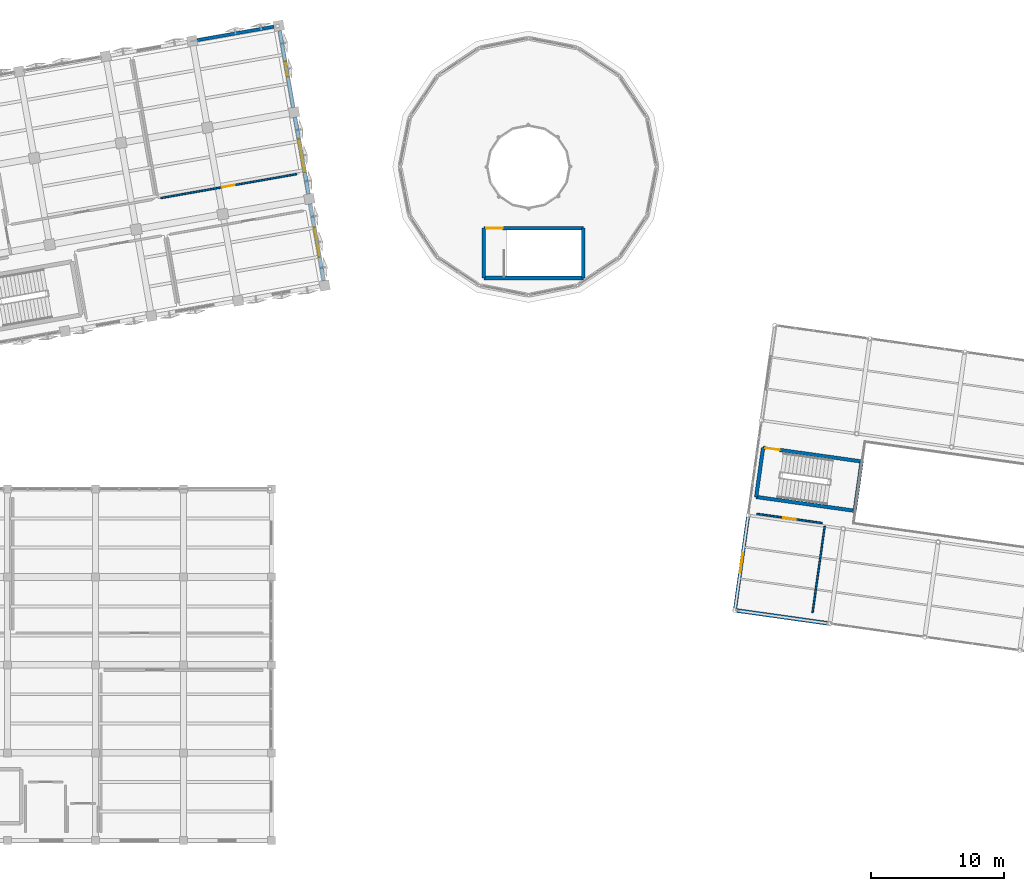
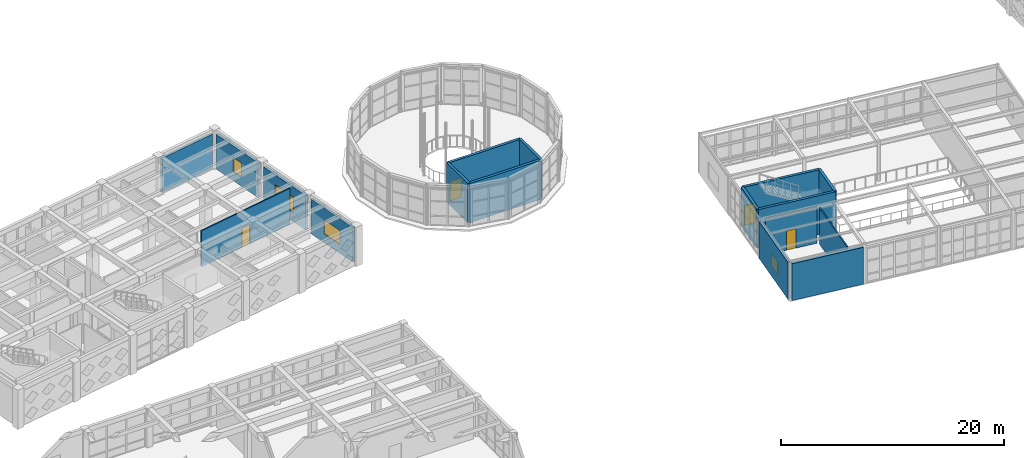
# One storey, part 68 of 80: 17 walls, 4 doors, 4 windows, 8 openings.
"""IFC4 building model written with IfcOpenShell, lengths in metres."""

from ifc_helpers import new_model, si_unit, direction, frame, frame_2d, origin, place, context, subcontext, project, spatial, rectangle, extrude, material, layer, layer_set, type_object, element, fill, save


model = new_model("IFC4")

# Units and contexts
model_context = context("Model", 3, precision=1e-05, world=origin(), true_north=direction((0.0, 1.0)))
body_context = subcontext(model_context, "Body", "Model", "MODEL_VIEW")
ifc_project = project(units=[si_unit("LENGTHUNIT", "METRE"), si_unit("AREAUNIT", "SQUARE_METRE"), si_unit("VOLUMEUNIT", "CUBIC_METRE"), si_unit("PLANEANGLEUNIT", "RADIAN"), si_unit("MASSUNIT", "GRAM", prefix="KILO")], contexts=[model_context])

# Site, building, storey
site_placement = place(None, origin())
site = spatial("IfcSite", under=ifc_project, at=site_placement, CompositionType="ELEMENT")
building_placement = place(site_placement, origin())
building = spatial("IfcBuilding", under=site, at=building_placement, Name="Kharisveld Research Institute", CompositionType="ELEMENT")
storey_placement = place(building_placement, frame((0.0, 0.0, 5.10009765625)))
storey = spatial("IfcBuildingStorey", under=building, at=storey_placement, Name="L01", CompositionType="ELEMENT", Elevation=5.10009765625)

# Wall
ifc_material_1 = material(Name="Concrete C40/50", Category="concrete")
ifc_layer_1 = layer(ifc_material_1, 0.27001953125)
ifc_layer_set_1 = layer_set([ifc_layer_1], Name="WL_CORE_270")
wall_type_1 = type_object("IfcWallType", Name="WL_CORE_270", PredefinedType="SHEAR", material=ifc_layer_set_1)
wall_1_placement = place(storey_placement, frame((76.599853515625, 26.01025390625, 0.0), z_axis=(0.0, 0.0, 1.0), x_axis=(0.139172815303, 0.990268108888, 0.0)))
element("IfcWall", 1, at=wall_1_placement, inside=storey, type_object=wall_type_1, Name="WL:STR:ST5:L01:W", PredefinedType="SHEAR", context=body_context, shape_type="SweptSolid", body=[
    extrude(rectangle(XDim=3.739990234375, YDim=0.27001953125, at=frame_2d((1.8701171875, 0.0))), origin(), (0.0, 0.0, 1.0), 4.27978515625),
])

# Wall, opening, door
wall_2_placement = place(storey_placement, frame((77.120361328125, 29.7138671875, 0.0), z_axis=(0.0, 0.0, 1.0), x_axis=(0.990265308789, -0.139192737628, 0.0)))
wall_2 = element("IfcWall", 2, at=wall_2_placement, inside=storey, type_object=wall_type_1, Name="WL:STR:ST5:L01:N", PredefinedType="SHEAR", context=body_context, shape_type="SweptSolid", body=[
    extrude(rectangle(XDim=7.47021484375, YDim=0.27001953125, at=frame_2d((3.735107421875, 0.0))), origin(), (0.0, 0.0, 1.0), 4.27978515625),
])
opening_1_placement = place(wall_2_placement, frame((0.179931640625, 0.0, 0.0)))
opening_1 = element("IfcOpeningElement", 3, at=opening_1_placement, cuts=wall_2, Name="Opening DS-044", PredefinedType="OPENING", context=body_context, shape_type="SweptSolid", body=[
    extrude(rectangle(XDim=1.080078125, YDim=2.14990234375, at=frame_2d((0.5400390625, 1.074951171875))), frame((0.0, 0.135009765625, 0.0), z_axis=(0.0, -1.0, 0.0), x_axis=(1.0, 0.0, 0.0)), (0.0, 0.0, 1.0), 0.27001953125),
])
ifc_material_2 = material(Name="Flush Painted Hardwood and Anodised Aluminium", Category="wood")
door_type_1 = type_object("IfcDoorType", Name="DR_FD60_108", OperationType="NOTDEFINED", PredefinedType="DOOR", material=ifc_material_2)
door_1_placement = place(opening_1_placement, origin())
door_1 = element("IfcDoor", 4, at=door_1_placement, inside=storey, type_object=door_type_1, Name="DR:STR:ST5:L01", OperationType="SINGLE_SWING_LEFT", OverallHeight=2.14990234375, OverallWidth=1.080078125, PredefinedType="DOOR", context=body_context, shape_type="SweptSolid", body=[
    extrude(rectangle(XDim=1.080078125, YDim=2.14990234375, at=frame_2d((0.5400390625, 1.074951171875))), frame((0.0, 0.02490234375, 0.0), z_axis=(0.0, -1.0, 0.0), x_axis=(1.0, 0.0, 0.0)), (0.0, 0.0, 1.0), 0.050048828125),
])
fill(opening_1, door_1)

# Walls
wall_3_placement = place(storey_placement, frame((84.517822265625, 28.674072265625, 0.0), z_axis=(0.0, 0.0, 1.0), x_axis=(-0.139172815303, -0.990268108888, 0.0)))
element("IfcWall", 5, at=wall_3_placement, inside=storey, type_object=wall_type_1, Name="WL:STR:ST5:L01:E", PredefinedType="SHEAR", context=body_context, shape_type="SweptSolid", body=[
    extrude(rectangle(XDim=3.739990234375, YDim=0.27001953125, at=frame_2d((1.8701171875, 0.0))), origin(), (0.0, 0.0, 1.0), 4.27978515625),
])
wall_4_placement = place(storey_placement, frame((83.997314453125, 24.970458984375, 0.0), z_axis=(0.0, 0.0, 1.0), x_axis=(-0.990265308789, 0.139192737628, 0.0)))
element("IfcWall", 6, at=wall_4_placement, inside=storey, type_object=wall_type_1, Name="WL:STR:ST5:L01:S", PredefinedType="SHEAR", context=body_context, shape_type="SweptSolid", body=[
    extrude(rectangle(XDim=7.47021484375, YDim=0.27001953125, at=frame_2d((3.735107421875, 0.0))), origin(), (0.0, 0.0, 1.0), 4.27978515625),
])
wall_5_placement = place(storey_placement, frame((56.14990234375, 42.449951171875, 0.0), z_axis=(0.0, 0.0, 1.0), x_axis=(0.0, 1.0, 0.0)))
element("IfcWall", 7, at=wall_5_placement, inside=storey, type_object=wall_type_1, Name="WL:STR:ST7:L01:W", PredefinedType="SHEAR", context=body_context, shape_type="SweptSolid", body=[
    extrude(rectangle(XDim=3.739990234375, YDim=0.27001953125, at=frame_2d((1.8701171875, 0.0))), origin(), (0.0, 0.0, 1.0), 4.2998046875),
])

# Wall, opening, door
wall_6_placement = place(storey_placement, frame((56.14990234375, 46.18994140625, 0.0), z_axis=(0.0, 0.0, 1.0), x_axis=(1.0, 0.0, 0.0)))
wall_6 = element("IfcWall", 8, at=wall_6_placement, inside=storey, type_object=wall_type_1, Name="WL:STR:ST7:L01:N", PredefinedType="SHEAR", context=body_context, shape_type="SweptSolid", body=[
    extrude(rectangle(XDim=7.47021484375, YDim=0.27001953125, at=frame_2d((3.735107421875, 0.0))), origin(), (0.0, 0.0, 1.0), 4.2998046875),
])
opening_2_placement = place(wall_6_placement, frame((0.179931640625, 0.0, 0.0)))
opening_2 = element("IfcOpeningElement", 9, at=opening_2_placement, cuts=wall_6, Name="Opening DS-051", PredefinedType="OPENING", context=body_context, shape_type="SweptSolid", body=[
    extrude(rectangle(XDim=1.239990234375, YDim=2.14990234375, at=frame_2d((0.6201171875, 1.074951171875))), frame((0.0, 0.135009765625, 0.0), z_axis=(0.0, -1.0, 0.0), x_axis=(1.0, 0.0, 0.0)), (0.0, 0.0, 1.0), 0.27001953125),
])
ifc_material_3 = material(Name="Flush Painted Hardwood and Anodised Aluminium", Category="wood")
door_type_2 = type_object("IfcDoorType", Name="DR_FD60_124", OperationType="NOTDEFINED", PredefinedType="DOOR", material=ifc_material_3)
door_2_placement = place(opening_2_placement, origin())
door_2 = element("IfcDoor", 10, at=door_2_placement, inside=storey, type_object=door_type_2, Name="DR:STR:ST7:L01", OperationType="SINGLE_SWING_RIGHT", OverallHeight=2.14990234375, OverallWidth=1.239990234375, PredefinedType="DOOR", context=body_context, shape_type="SweptSolid", body=[
    extrude(rectangle(XDim=1.239990234375, YDim=2.14990234375, at=frame_2d((0.6201171875, 1.074951171875))), frame((0.0, 0.02490234375, 0.0), z_axis=(0.0, -1.0, 0.0), x_axis=(1.0, 0.0, 0.0)), (0.0, 0.0, 1.0), 0.050048828125),
])
fill(opening_2, door_2)

# Walls
wall_7_placement = place(storey_placement, frame((63.6201171875, 46.18994140625, 0.0), z_axis=(0.0, 0.0, 1.0), x_axis=(0.0, -1.0, 0.0)))
element("IfcWall", 11, at=wall_7_placement, inside=storey, type_object=wall_type_1, Name="WL:STR:ST7:L01:E", PredefinedType="SHEAR", context=body_context, shape_type="SweptSolid", body=[
    extrude(rectangle(XDim=3.739990234375, YDim=0.27001953125, at=frame_2d((1.8701171875, 0.0))), origin(), (0.0, 0.0, 1.0), 4.2998046875),
])
wall_8_placement = place(storey_placement, frame((63.6201171875, 42.449951171875, 0.0), z_axis=(0.0, 0.0, 1.0), x_axis=(-1.0, 0.0, 0.0)))
element("IfcWall", 12, at=wall_8_placement, inside=storey, type_object=wall_type_1, Name="WL:STR:ST7:L01:S", PredefinedType="SHEAR", context=body_context, shape_type="SweptSolid", body=[
    extrude(rectangle(XDim=7.47021484375, YDim=0.27001953125, at=frame_2d((3.735107421875, 0.0))), origin(), (0.0, 0.0, 1.0), 4.2998046875),
])
ifc_material_4 = material(Name="Lightweight Acoustic Spandrel", Category="mineral")
ifc_layer_2 = layer(ifc_material_4, 0.2451171875)
ifc_layer_set_2 = layer_set([ifc_layer_2], Name="WL_EXT_245")
wall_type_2 = type_object("IfcWallType", Name="WL_EXT_245", PredefinedType="STANDARD", material=ifc_layer_set_2)
wall_9_placement = place(storey_placement, frame((34.624755859375, 60.3037109375, 0.0), z_axis=(0.0, 0.0, 1.0), x_axis=(0.984807875342, 0.1736474839, 0.0)))
element("IfcWall", 13, at=wall_9_placement, inside=storey, type_object=wall_type_2, Name="WL:V1:L01:N5", PredefinedType="STANDARD", context=body_context, shape_type="SweptSolid", body=[
    extrude(rectangle(XDim=5.860107421875, YDim=0.2451171875, at=frame_2d((2.93017578125, 0.0))), origin(), (0.0, 0.0, 1.0), 3.794921875),
])

# Wall, opening, window
wall_10_placement = place(storey_placement, frame((43.116455078125, 48.021728515625, 0.0), z_axis=(0.0, 0.0, 1.0), x_axis=(0.1736474839, -0.984807875342, 0.0)))
wall_10 = element("IfcWall", 14, at=wall_10_placement, inside=storey, type_object=wall_type_2, Name="WL:V1:L01:E1", PredefinedType="STANDARD", context=body_context, shape_type="SweptSolid", body=[
    extrude(rectangle(XDim=5.860107421875, YDim=0.2451171875, at=frame_2d((2.93017578125, 0.0))), origin(), (0.0, 0.0, 1.0), 3.794921875),
])
opening_3_placement = place(wall_10_placement, frame((1.804931640625, 0.0, 0.949951171875)))
opening_3 = element("IfcOpeningElement", 15, at=opening_3_placement, cuts=wall_10, Name="Opening WN-14", PredefinedType="OPENING", context=body_context, shape_type="SweptSolid", body=[
    extrude(rectangle(XDim=2.25, YDim=1.550048828125, at=frame_2d((1.125, 0.77490234375))), frame((0.0, 0.12255859375, 0.0), z_axis=(0.0, -1.0, 0.0), x_axis=(1.0, 0.0, 0.0)), (0.0, 0.0, 1.0), 0.2451171875),
])
ifc_material_5 = material(Name="Low-E Double Glazing", Category="glass")
window_type_1 = type_object("IfcWindowType", Name="WN_14", PartitioningType="DOUBLE_PANEL_VERTICAL", PredefinedType="WINDOW", material=ifc_material_5)
window_1_placement = place(opening_3_placement, origin())
window_1 = element("IfcWindow", 16, at=window_1_placement, inside=storey, type_object=window_type_1, Name="WN:V1:L01:E1", OverallHeight=1.550048828125, OverallWidth=2.25, PartitioningType="SINGLE_PANEL", PredefinedType="WINDOW", context=body_context, shape_type="SweptSolid", body=[
    extrude(rectangle(XDim=2.25, YDim=1.550048828125, at=frame_2d((1.125, 0.77490234375))), frame((0.0, 0.030029296875, 0.0), z_axis=(0.0, -1.0, 0.0), x_axis=(1.0, 0.0, 0.0)), (0.0, 0.0, 1.0), 0.06005859375),
])
fill(opening_3, window_1)

ifc_material_6 = material(Name="Precast Concrete C40/50 Thermal Wall", Category="concrete")
ifc_layer_3 = layer(ifc_material_6, 0.260009765625)
ifc_layer_set_3 = layer_set([ifc_layer_3], Name="WL_EXT_260")
wall_type_3 = type_object("IfcWallType", Name="WL_EXT_260", PredefinedType="STANDARD", material=ifc_layer_set_3)
wall_11_placement = place(storey_placement, frame((75.021728515625, 17.655517578125, 0.0), z_axis=(0.0, 0.0, 1.0), x_axis=(0.139197247179, 0.990264674912, 0.0)))
wall_11 = element("IfcWall", 17, at=wall_11_placement, inside=storey, type_object=wall_type_3, Name="WL:V4:L01:W0", PredefinedType="STANDARD", context=body_context, shape_type="SweptSolid", body=[
    extrude(rectangle(XDim=6.885986328125, YDim=0.260009765625, at=frame_2d((3.44287109375, 0.0))), origin(), (0.0, 0.0, 1.0), 4.044921875),
])
opening_4_placement = place(wall_11_placement, frame((2.718017578125, 0.0, 0.949951171875)))
opening_4 = element("IfcOpeningElement", 18, at=opening_4_placement, cuts=wall_11, Name="Opening WN-13", PredefinedType="OPENING", context=body_context, shape_type="SweptSolid", body=[
    extrude(rectangle(XDim=1.449951171875, YDim=1.35009765625, at=frame_2d((0.72509765625, 0.675048828125))), frame((0.0, 0.1298828125, 0.0), z_axis=(0.0, -1.0, 0.0), x_axis=(1.0, 0.0, 0.0)), (0.0, 0.0, 1.0), 0.260009765625),
])
ifc_material_7 = material(Name="Low-E Double Glazing", Category="glass")
window_type_2 = type_object("IfcWindowType", Name="WN_13", PartitioningType="DOUBLE_PANEL_VERTICAL", PredefinedType="WINDOW", material=ifc_material_7)
window_2_placement = place(opening_4_placement, origin())
window_2 = element("IfcWindow", 19, at=window_2_placement, inside=storey, type_object=window_type_2, Name="WN:V4:L01:W0", OverallHeight=1.35009765625, OverallWidth=1.449951171875, PartitioningType="SINGLE_PANEL", PredefinedType="WINDOW", context=body_context, shape_type="SweptSolid", body=[
    extrude(rectangle(XDim=1.449951171875, YDim=1.35009765625, at=frame_2d((0.72509765625, 0.675048828125))), frame((0.0, 0.030029296875, 0.0), z_axis=(0.0, -1.0, 0.0), x_axis=(1.0, 0.0, 0.0)), (0.0, 0.0, 1.0), 0.06005859375),
])
fill(opening_4, window_2)

ifc_material_8 = material(Name="Precast Concrete C40/50 Thermal Wall", Category="concrete")
ifc_layer_4 = layer(ifc_material_8, 0.27490234375)
ifc_layer_set_4 = layer_set([ifc_layer_4], Name="WL_EXT_275")
wall_type_4 = type_object("IfcWallType", Name="WL_EXT_275", PredefinedType="STANDARD", material=ifc_layer_set_4)
wall_12_placement = place(storey_placement, frame((40.824462890625, 61.021240234375, 0.0), z_axis=(0.0, 0.0, 1.0), x_axis=(0.1736474839, -0.984807875342, 0.0)))
wall_12 = element("IfcWall", 20, at=wall_12_placement, inside=storey, type_object=wall_type_4, Name="WL:V1:L01:E3", PredefinedType="STANDARD", context=body_context, shape_type="SweptSolid", body=[
    extrude(rectangle(XDim=5.860107421875, YDim=0.27490234375, at=frame_2d((2.93017578125, 0.0))), origin(), (0.0, 0.0, 1.0), 3.794921875),
])
opening_5_placement = place(wall_12_placement, frame((2.35498046875, 0.0, 0.949951171875)))
opening_5 = element("IfcOpeningElement", 21, at=opening_5_placement, cuts=wall_12, Name="Opening WN-16", PredefinedType="OPENING", context=body_context, shape_type="SweptSolid", body=[
    extrude(rectangle(XDim=1.14990234375, YDim=1.60009765625, at=frame_2d((0.574951171875, 0.800048828125))), frame((0.0, 0.137451171875, 0.0), z_axis=(0.0, -1.0, 0.0), x_axis=(1.0, 0.0, 0.0)), (0.0, 0.0, 1.0), 0.27490234375),
])
ifc_material_9 = material(Name="Low-E Double Glazing", Category="glass")
window_type_3 = type_object("IfcWindowType", Name="WN_16", PartitioningType="SINGLE_PANEL", PredefinedType="WINDOW", material=ifc_material_9)
window_3_placement = place(opening_5_placement, origin())
window_3 = element("IfcWindow", 22, at=window_3_placement, inside=storey, type_object=window_type_3, Name="WN:V1:L01:E3", OverallHeight=1.60009765625, OverallWidth=1.14990234375, PartitioningType="SINGLE_PANEL", PredefinedType="WINDOW", context=body_context, shape_type="SweptSolid", body=[
    extrude(rectangle(XDim=1.14990234375, YDim=1.60009765625, at=frame_2d((0.574951171875, 0.800048828125))), frame((0.0, 0.030029296875, 0.0), z_axis=(0.0, -1.0, 0.0), x_axis=(1.0, 0.0, 0.0)), (0.0, 0.0, 1.0), 0.06005859375),
])
fill(opening_5, window_3)

ifc_material_10 = material(Name="Precast Concrete C40/50 Thermal Wall", Category="concrete")
ifc_layer_5 = layer(ifc_material_10, 0.2900390625)
ifc_layer_set_5 = layer_set([ifc_layer_5], Name="WL_EXT_290")
wall_type_5 = type_object("IfcWallType", Name="WL_EXT_290", PredefinedType="STANDARD", material=ifc_layer_set_5)
wall_13_placement = place(storey_placement, frame((41.970458984375, 54.521484375, 0.0), z_axis=(0.0, 0.0, 1.0), x_axis=(0.1736474839, -0.984807875342, 0.0)))
wall_13 = element("IfcWall", 23, at=wall_13_placement, inside=storey, type_object=wall_type_5, Name="WL:V1:L01:E2", PredefinedType="STANDARD", context=body_context, shape_type="SweptSolid", body=[
    extrude(rectangle(XDim=5.860107421875, YDim=0.2900390625, at=frame_2d((2.93017578125, 0.0))), origin(), (0.0, 0.0, 1.0), 3.794921875),
])
opening_6_placement = place(wall_13_placement, frame((1.655029296875, 0.0, 0.949951171875)))
opening_6 = element("IfcOpeningElement", 24, at=opening_6_placement, cuts=wall_13, Name="Opening WN-15", PredefinedType="OPENING", context=body_context, shape_type="SweptSolid", body=[
    extrude(rectangle(XDim=2.550048828125, YDim=1.75, at=frame_2d((1.27490234375, 0.875))), frame((0.0, 0.14501953125, 0.0), z_axis=(0.0, -1.0, 0.0), x_axis=(1.0, 0.0, 0.0)), (0.0, 0.0, 1.0), 0.2900390625),
])
ifc_material_11 = material(Name="Low-E Double Glazing", Category="glass")
window_type_4 = type_object("IfcWindowType", Name="WN_15", PartitioningType="TRIPLE_PANEL_VERTICAL", PredefinedType="WINDOW", material=ifc_material_11)
window_4_placement = place(opening_6_placement, origin())
window_4 = element("IfcWindow", 25, at=window_4_placement, inside=storey, type_object=window_type_4, Name="WN:V1:L01:E2", OverallHeight=1.75, OverallWidth=2.550048828125, PartitioningType="SINGLE_PANEL", PredefinedType="WINDOW", context=body_context, shape_type="SweptSolid", body=[
    extrude(rectangle(XDim=2.550048828125, YDim=1.75, at=frame_2d((1.27490234375, 0.875))), frame((0.0, 0.030029296875, 0.0), z_axis=(0.0, -1.0, 0.0), x_axis=(1.0, 0.0, 0.0)), (0.0, 0.0, 1.0), 0.06005859375),
])
fill(opening_6, window_4)

# Wall
ifc_material_12 = material(Name="Precast Concrete C40/50 Ochre Panel", Category="concrete")
ifc_layer_6 = layer(ifc_material_12, 0.304931640625)
ifc_layer_set_6 = layer_set([ifc_layer_6], Name="WL_EXT_305")
wall_type_6 = type_object("IfcWallType", Name="WL_EXT_305", PredefinedType="STANDARD", material=ifc_layer_set_6)
wall_14_placement = place(storey_placement, frame((81.974365234375, 16.519775390625, 0.0), z_axis=(0.0, 0.0, 1.0), x_axis=(-0.990264674912, 0.139197247179, 0.0)))
element("IfcWall", 26, at=wall_14_placement, inside=storey, type_object=wall_type_6, Name="WL:V4:L01:S1", PredefinedType="STANDARD", context=body_context, shape_type="SweptSolid", body=[
    extrude(rectangle(XDim=6.885986328125, YDim=0.304931640625, at=frame_2d((3.44287109375, 0.0))), origin(), (0.0, 0.0, 1.0), 4.044921875),
])

# Wall, opening, door
ifc_material_13 = material(Name="Insulated Stud Partition", Category="mineral")
ifc_layer_7 = layer(ifc_material_13, 0.125)
ifc_layer_set_7 = layer_set([ifc_layer_7], Name="WL_OFF_125")
wall_type_7 = type_object("IfcWallType", Name="WL_OFF_125", PredefinedType="PARTITIONING", material=ifc_layer_set_7)
wall_15_placement = place(storey_placement, frame((31.891845703125, 48.44921875, 0.0), z_axis=(0.0, 0.0, 1.0), x_axis=(0.984810592092, 0.173632075677, 0.0)))
wall_15 = element("IfcWall", 27, at=wall_15_placement, inside=storey, type_object=wall_type_7, Name="WL:RM:V1:L01:N3:S", PredefinedType="PARTITIONING", context=body_context, shape_type="SweptSolid", body=[
    extrude(rectangle(XDim=10.360107421875, YDim=0.125, at=frame_2d((5.18017578125, 0.0))), origin(), (0.0, 0.0, 1.0), 3.949951171875),
])
opening_7_placement = place(wall_15_placement, frame((4.7099609375, 0.0, 0.0)))
opening_7 = element("IfcOpeningElement", 28, at=opening_7_placement, cuts=wall_15, Name="Opening DI-078", PredefinedType="OPENING", context=body_context, shape_type="SweptSolid", body=[
    extrude(rectangle(XDim=0.93994140625, YDim=2.1201171875, at=frame_2d((0.469970703125, 1.06005859375))), frame((0.0, 0.0625, 0.0), z_axis=(0.0, -1.0, 0.0), x_axis=(1.0, 0.0, 0.0)), (0.0, 0.0, 1.0), 0.125),
])
ifc_material_14 = material(Name="Flush Painted Hardwood and Anodised Aluminium", Category="wood")
door_type_3 = type_object("IfcDoorType", Name="DR_OFF_094", OperationType="NOTDEFINED", PredefinedType="DOOR", material=ifc_material_14)
door_3_placement = place(opening_7_placement, origin())
door_3 = element("IfcDoor", 29, at=door_3_placement, inside=storey, type_object=door_type_3, Name="DR:RM:V1:L01:N3:S", OperationType="SINGLE_SWING_LEFT", OverallHeight=2.1201171875, OverallWidth=0.93994140625, PredefinedType="DOOR", context=body_context, shape_type="SweptSolid", body=[
    extrude(rectangle(XDim=0.93994140625, YDim=2.1201171875, at=frame_2d((0.469970703125, 1.06005859375))), frame((0.0, 0.02490234375, 0.0), z_axis=(0.0, -1.0, 0.0), x_axis=(1.0, 0.0, 0.0)), (0.0, 0.0, 1.0), 0.050048828125),
])
fill(opening_7, door_3)

# Wall
wall_16_placement = place(storey_placement, frame((80.829833984375, 17.306640625, 0.0), z_axis=(0.0, 0.0, 1.0), x_axis=(0.139185834999, 0.990266279006, 0.0)))
element("IfcWall", 30, at=wall_16_placement, inside=storey, type_object=wall_type_7, Name="WL:RM:V4:L01:BRG:E", PredefinedType="PARTITIONING", context=body_context, shape_type="SweptSolid", body=[
    extrude(rectangle(XDim=6.560302734375, YDim=0.125, at=frame_2d((3.2802734375, 0.0))), origin(), (0.0, 0.0, 1.0), 3.949951171875),
])

# Wall, opening, door
wall_17_placement = place(storey_placement, frame((81.5556640625, 24.051513671875, 0.0), z_axis=(0.0, 0.0, 1.0), x_axis=(-0.990271738652, 0.139146985694, 0.0)))
wall_17 = element("IfcWall", 31, at=wall_17_placement, inside=storey, type_object=wall_type_7, Name="WL:RM:V4:L01:BRG:N", PredefinedType="PARTITIONING", context=body_context, shape_type="SweptSolid", body=[
    extrude(rectangle(XDim=4.960205078125, YDim=0.125, at=frame_2d((2.47998046875, 0.0))), origin(), (0.0, 0.0, 1.0), 3.949951171875),
])
opening_8_placement = place(wall_17_placement, frame((2.010009765625, 0.0, 0.0)))
opening_8 = element("IfcOpeningElement", 32, at=opening_8_placement, cuts=wall_17, Name="Opening DI-305", PredefinedType="OPENING", context=body_context, shape_type="SweptSolid", body=[
    extrude(rectangle(XDim=0.93994140625, YDim=2.1201171875, at=frame_2d((0.469970703125, 1.06005859375))), frame((0.0, 0.0625, 0.0), z_axis=(0.0, -1.0, 0.0), x_axis=(1.0, 0.0, 0.0)), (0.0, 0.0, 1.0), 0.125),
])
door_4_placement = place(opening_8_placement, origin())
door_4 = element("IfcDoor", 33, at=door_4_placement, inside=storey, type_object=door_type_3, Name="DR:RM:V4:L01:BRG:N", OperationType="SINGLE_SWING_RIGHT", OverallHeight=2.1201171875, OverallWidth=0.93994140625, PredefinedType="DOOR", context=body_context, shape_type="SweptSolid", body=[
    extrude(rectangle(XDim=0.93994140625, YDim=2.1201171875, at=frame_2d((0.469970703125, 1.06005859375))), frame((0.0, 0.02490234375, 0.0), z_axis=(0.0, -1.0, 0.0), x_axis=(1.0, 0.0, 0.0)), (0.0, 0.0, 1.0), 0.050048828125),
])
fill(opening_8, door_4)

save(model, "model.ifc")
